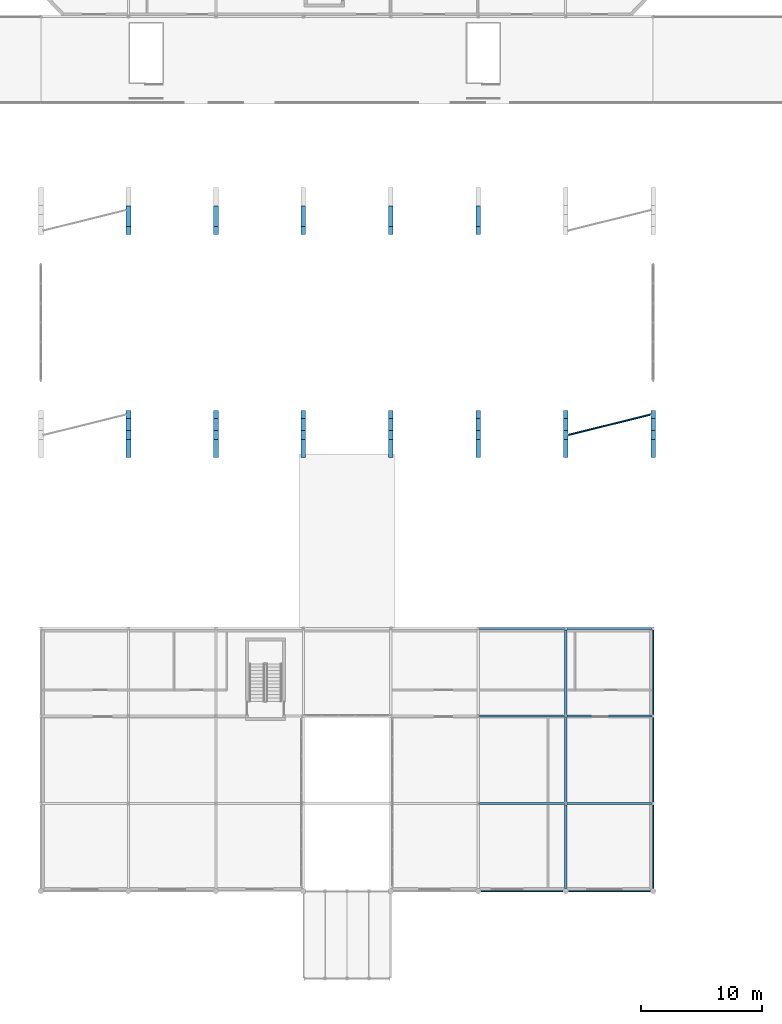
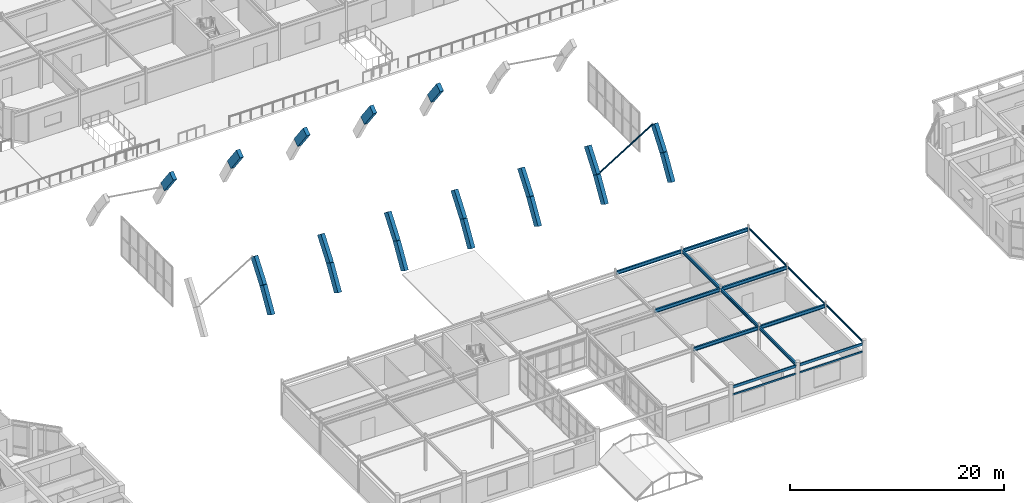
# One storey, part 24 of 85: 35 beams, 1 member.
"""IFC4 building model written with IfcOpenShell, lengths in metres."""

from ifc_helpers import new_model, si_unit, direction, frame, origin, origin_2d, place, context, subcontext, project, spatial, rectangle, hollow_circle, i_section, u_section, extrude, material, material_profile, profile_set, type_object, element, save


model = new_model("IFC4")

# Units and contexts
model_context = context("Model", 3, precision=1e-05, world=origin(), true_north=direction((0.0, 1.0)))
body_context = subcontext(model_context, "Body", "Model", "MODEL_VIEW")
ifc_project = project(units=[si_unit("LENGTHUNIT", "METRE"), si_unit("AREAUNIT", "SQUARE_METRE"), si_unit("VOLUMEUNIT", "CUBIC_METRE"), si_unit("PLANEANGLEUNIT", "RADIAN"), si_unit("MASSUNIT", "GRAM", prefix="KILO")], contexts=[model_context])

# Site, building, storey
site_placement = place(None, origin())
site = spatial("IfcSite", under=ifc_project, at=site_placement, CompositionType="ELEMENT")
building_placement = place(site_placement, origin())
building = spatial("IfcBuilding", under=site, at=building_placement, Name="Ochrevale Crest", CompositionType="ELEMENT")
storey_placement = place(building_placement, frame((0.0, 0.0, 4.5)))
storey = spatial("IfcBuildingStorey", under=building, at=storey_placement, Name="L01", CompositionType="ELEMENT", Elevation=4.5)

# Beams
ifc_material_1 = material(Name="Precast concrete C50/60", Category="concrete")
ifc_material_profile_1 = material_profile(ifc_material_1, rectangle(XDim=0.39990234375, YDim=0.85009765625, at=origin_2d()), Name="PC 400x850")
ifc_profile_set_1 = profile_set([ifc_material_profile_1], Name="Precast concrete C50/60")
beam_type_1 = type_object("IfcBeamType", Name="BM-AR400x850", PredefinedType="BEAM", material=ifc_profile_set_1)
beam_1_placement = place(storey_placement, frame((64.800048828125, 43.25, 0.280029296875), z_axis=(0.0, 0.513061889278, 0.858351616629), x_axis=(-1.0, 0.0, 0.0)))
element("IfcBeam", 1, at=beam_1_placement, inside=storey, type_object=beam_type_1, Name="Precast vault arch rib AR-02 chord 1", PredefinedType="BEAM", context=body_context, shape_type="SweptSolid", body=[
    extrude(rectangle(XDim=0.39990234375, YDim=0.85009765625, at=origin_2d()), origin(), (0.0, 0.0, 1.0), 2.906005859375),
])
for number, where, z_axis, x_axis, name in (
    (2, (64.800048828125, 44.740966796875, 2.7744140625), (0.0, 0.60146279032, 0.798900814783), (-1.0, 0.0, 0.0), "Precast vault arch rib AR-02 chord 2"),
    (3, (64.800048828125, 61.57373046875, 5.012939453125), (0.0, 0.60146279032, -0.798900814783), (-1.0, 0.0, 0.0), "Precast vault arch rib AR-02 chord 9"),
):
    element("IfcBeam", number, at=place(storey_placement, frame(where, z_axis=z_axis, x_axis=x_axis)), inside=storey, type_object=beam_type_1, Name=name, PredefinedType="BEAM", context=body_context, shape_type="SweptSolid", body=[
        extrude(rectangle(XDim=0.39990234375, YDim=0.85009765625, at=origin_2d()), origin(), (0.0, 0.0, 1.0), 2.802001953125),
    ])
beam_2_placement = place(storey_placement, frame((72.0, 43.25, 0.280029296875), z_axis=(0.0, 0.513061889278, 0.858351616629), x_axis=(-1.0, 0.0, 0.0)))
element("IfcBeam", 4, at=beam_2_placement, inside=storey, type_object=beam_type_1, Name="Precast vault arch rib AR-03 chord 1", PredefinedType="BEAM", context=body_context, shape_type="SweptSolid", body=[
    extrude(rectangle(XDim=0.39990234375, YDim=0.85009765625, at=origin_2d()), origin(), (0.0, 0.0, 1.0), 2.906005859375),
])
for number, where, z_axis, x_axis, name in (
    (5, (72.0, 44.740966796875, 2.7744140625), (0.0, 0.60146279032, 0.798900814783), (-1.0, 0.0, 0.0), "Precast vault arch rib AR-03 chord 2"),
    (6, (72.0, 61.57373046875, 5.012939453125), (0.0, 0.60146279032, -0.798900814783), (-1.0, 0.0, 0.0), "Precast vault arch rib AR-03 chord 9"),
):
    element("IfcBeam", number, at=place(storey_placement, frame(where, z_axis=z_axis, x_axis=x_axis)), inside=storey, type_object=beam_type_1, Name=name, PredefinedType="BEAM", context=body_context, shape_type="SweptSolid", body=[
        extrude(rectangle(XDim=0.39990234375, YDim=0.85009765625, at=origin_2d()), origin(), (0.0, 0.0, 1.0), 2.802001953125),
    ])
beam_3_placement = place(storey_placement, frame((79.199951171875, 43.25, 0.280029296875), z_axis=(0.0, 0.513061889278, 0.858351616629), x_axis=(-1.0, 0.0, 0.0)))
element("IfcBeam", 7, at=beam_3_placement, inside=storey, type_object=beam_type_1, Name="Precast vault arch rib AR-04 chord 1", PredefinedType="BEAM", context=body_context, shape_type="SweptSolid", body=[
    extrude(rectangle(XDim=0.39990234375, YDim=0.85009765625, at=origin_2d()), origin(), (0.0, 0.0, 1.0), 2.906005859375),
])
for number, where, z_axis, x_axis, name in (
    (8, (79.199951171875, 44.740966796875, 2.7744140625), (0.0, 0.60146279032, 0.798900814783), (-1.0, 0.0, 0.0), "Precast vault arch rib AR-04 chord 2"),
    (9, (79.199951171875, 61.57373046875, 5.012939453125), (0.0, 0.60146279032, -0.798900814783), (-1.0, 0.0, 0.0), "Precast vault arch rib AR-04 chord 9"),
):
    element("IfcBeam", number, at=place(storey_placement, frame(where, z_axis=z_axis, x_axis=x_axis)), inside=storey, type_object=beam_type_1, Name=name, PredefinedType="BEAM", context=body_context, shape_type="SweptSolid", body=[
        extrude(rectangle(XDim=0.39990234375, YDim=0.85009765625, at=origin_2d()), origin(), (0.0, 0.0, 1.0), 2.802001953125),
    ])
beam_4_placement = place(storey_placement, frame((86.39990234375, 43.25, 0.280029296875), z_axis=(0.0, 0.513061889278, 0.858351616629), x_axis=(-1.0, 0.0, 0.0)))
element("IfcBeam", 10, at=beam_4_placement, inside=storey, type_object=beam_type_1, Name="Precast vault arch rib AR-05 chord 1", PredefinedType="BEAM", context=body_context, shape_type="SweptSolid", body=[
    extrude(rectangle(XDim=0.39990234375, YDim=0.85009765625, at=origin_2d()), origin(), (0.0, 0.0, 1.0), 2.906005859375),
])
for number, where, z_axis, x_axis, name in (
    (11, (86.39990234375, 44.740966796875, 2.7744140625), (0.0, 0.60146279032, 0.798900814783), (-1.0, 0.0, 0.0), "Precast vault arch rib AR-05 chord 2"),
    (12, (86.39990234375, 61.57373046875, 5.012939453125), (0.0, 0.60146279032, -0.798900814783), (-1.0, 0.0, 0.0), "Precast vault arch rib AR-05 chord 9"),
):
    element("IfcBeam", number, at=place(storey_placement, frame(where, z_axis=z_axis, x_axis=x_axis)), inside=storey, type_object=beam_type_1, Name=name, PredefinedType="BEAM", context=body_context, shape_type="SweptSolid", body=[
        extrude(rectangle(XDim=0.39990234375, YDim=0.85009765625, at=origin_2d()), origin(), (0.0, 0.0, 1.0), 2.802001953125),
    ])
beam_5_placement = place(storey_placement, frame((93.60009765625, 43.25, 0.280029296875), z_axis=(0.0, 0.513061889278, 0.858351616629), x_axis=(-1.0, 0.0, 0.0)))
element("IfcBeam", 13, at=beam_5_placement, inside=storey, type_object=beam_type_1, Name="Precast vault arch rib AR-06 chord 1", PredefinedType="BEAM", context=body_context, shape_type="SweptSolid", body=[
    extrude(rectangle(XDim=0.39990234375, YDim=0.85009765625, at=origin_2d()), origin(), (0.0, 0.0, 1.0), 2.906005859375),
])
for number, where, z_axis, x_axis, name in (
    (14, (93.60009765625, 44.740966796875, 2.7744140625), (0.0, 0.60146279032, 0.798900814783), (-1.0, 0.0, 0.0), "Precast vault arch rib AR-06 chord 2"),
    (15, (93.60009765625, 61.57373046875, 5.012939453125), (0.0, 0.60146279032, -0.798900814783), (-1.0, 0.0, 0.0), "Precast vault arch rib AR-06 chord 9"),
):
    element("IfcBeam", number, at=place(storey_placement, frame(where, z_axis=z_axis, x_axis=x_axis)), inside=storey, type_object=beam_type_1, Name=name, PredefinedType="BEAM", context=body_context, shape_type="SweptSolid", body=[
        extrude(rectangle(XDim=0.39990234375, YDim=0.85009765625, at=origin_2d()), origin(), (0.0, 0.0, 1.0), 2.802001953125),
    ])
beam_6_placement = place(storey_placement, frame((100.800048828125, 43.25, 0.280029296875), z_axis=(0.0, 0.513061889278, 0.858351616629), x_axis=(-1.0, 0.0, 0.0)))
element("IfcBeam", 16, at=beam_6_placement, inside=storey, type_object=beam_type_1, Name="Precast vault arch rib AR-07 chord 1", PredefinedType="BEAM", context=body_context, shape_type="SweptSolid", body=[
    extrude(rectangle(XDim=0.39990234375, YDim=0.85009765625, at=origin_2d()), origin(), (0.0, 0.0, 1.0), 2.906005859375),
])
beam_7_placement = place(storey_placement, frame((100.800048828125, 44.740966796875, 2.7744140625), z_axis=(0.0, 0.60146279032, 0.798900814783), x_axis=(-1.0, 0.0, 0.0)))
element("IfcBeam", 17, at=beam_7_placement, inside=storey, type_object=beam_type_1, Name="Precast vault arch rib AR-07 chord 2", PredefinedType="BEAM", context=body_context, shape_type="SweptSolid", body=[
    extrude(rectangle(XDim=0.39990234375, YDim=0.85009765625, at=origin_2d()), origin(), (0.0, 0.0, 1.0), 2.802001953125),
])
beam_8_placement = place(storey_placement, frame((108.0, 43.25, 0.280029296875), z_axis=(0.0, 0.513061889278, 0.858351616629), x_axis=(-1.0, 0.0, 0.0)))
element("IfcBeam", 18, at=beam_8_placement, inside=storey, type_object=beam_type_1, Name="Precast vault arch rib AR-08 chord 1", PredefinedType="BEAM", context=body_context, shape_type="SweptSolid", body=[
    extrude(rectangle(XDim=0.39990234375, YDim=0.85009765625, at=origin_2d()), origin(), (0.0, 0.0, 1.0), 2.906005859375),
])
beam_9_placement = place(storey_placement, frame((108.0, 44.740966796875, 2.7744140625), z_axis=(0.0, 0.60146279032, 0.798900814783), x_axis=(-1.0, 0.0, 0.0)))
element("IfcBeam", 19, at=beam_9_placement, inside=storey, type_object=beam_type_1, Name="Precast vault arch rib AR-08 chord 2", PredefinedType="BEAM", context=body_context, shape_type="SweptSolid", body=[
    extrude(rectangle(XDim=0.39990234375, YDim=0.85009765625, at=origin_2d()), origin(), (0.0, 0.0, 1.0), 2.802001953125),
])
ifc_material_2 = material(Name="Steel S355", Category="steel")
ifc_material_profile_2 = material_profile(ifc_material_2, u_section(Depth=0.179931640625, FlangeWidth=0.074951171875, WebThickness=0.006103515625, FlangeThickness=0.010986328125, FilletRadius=0.011962890625, at=origin_2d()), Name="180PFC")
ifc_profile_set_2 = profile_set([ifc_material_profile_2], Name="Steel S355")
beam_type_2 = type_object("IfcBeamType", Name="BM-PFC180", PredefinedType="LINTEL", material=ifc_profile_set_2)
beam_10_placement = place(storey_placement, frame((93.75, 7.199951171875, 2.85009765625), z_axis=(1.0, 0.0, 0.0), x_axis=(0.0, 1.0, 0.0)))
element("IfcBeam", 20, at=beam_10_placement, inside=storey, type_object=beam_type_2, Name="Retail shopfront steel lintel L01-4", PredefinedType="LINTEL", context=body_context, shape_type="SweptSolid", body=[
    extrude(u_section(Depth=0.179931640625, FlangeWidth=0.074951171875, WebThickness=0.006103515625, FlangeThickness=0.010986328125, FilletRadius=0.011962890625, at=origin_2d()), origin(), (0.0, 0.0, 1.0), 6.89990234375),
])
beam_11_placement = place(storey_placement, frame((100.949951171875, 7.199951171875, 2.85009765625), z_axis=(1.0, 0.0, 0.0), x_axis=(0.0, 1.0, 0.0)))
element("IfcBeam", 21, at=beam_11_placement, inside=storey, type_object=beam_type_2, Name="Retail shopfront steel lintel L01-5", PredefinedType="LINTEL", context=body_context, shape_type="SweptSolid", body=[
    extrude(u_section(Depth=0.179931640625, FlangeWidth=0.074951171875, WebThickness=0.006103515625, FlangeThickness=0.010986328125, FilletRadius=0.011962890625, at=origin_2d()), origin(), (0.0, 0.0, 1.0), 6.900146484375),
])
ifc_material_profile_3 = material_profile(ifc_material_2, u_section(Depth=0.22998046875, FlangeWidth=0.074951171875, WebThickness=0.006591796875, FlangeThickness=0.011962890625, FilletRadius=0.011962890625, at=origin_2d()), Name="230PFC")
ifc_profile_set_3 = profile_set([ifc_material_profile_3], Name="Steel S355")
beam_type_3 = type_object("IfcBeamType", Name="BM-PFC230", PredefinedType="SPANDREL", material=ifc_profile_set_3)
beam_12_placement = place(storey_placement, frame((108.0, 7.419921875, 3.760009765625), z_axis=(0.0, 1.0, 0.0), x_axis=(-1.0, 0.0, 0.0)))
element("IfcBeam", 22, at=beam_12_placement, inside=storey, type_object=beam_type_3, Name="Retail arcade L01 N-S beam X=108.0", PredefinedType="SPANDREL", context=body_context, shape_type="SweptSolid", body=[
    extrude(u_section(Depth=0.22998046875, FlangeWidth=0.074951171875, WebThickness=0.006591796875, FlangeThickness=0.011962890625, FilletRadius=0.011962890625, at=origin_2d()), origin(), (0.0, 0.0, 1.0), 6.882080078125),
])
for number, where, z_axis, x_axis, name in (
    (23, (108.0, 14.498046875, 3.760009765625), (0.0, 1.0, 0.0), (-1.0, 0.0, 0.0), "Retail arcade L01 N-S beam X=108.0"),
    (24, (108.0, 21.697998046875, 3.760009765625), (0.0, 1.0, 0.0), (-1.0, 0.0, 0.0), "Retail arcade L01 N-S beam X=108.0"),
):
    element("IfcBeam", number, at=place(storey_placement, frame(where, z_axis=z_axis, x_axis=x_axis)), inside=storey, type_object=beam_type_3, Name=name, PredefinedType="SPANDREL", context=body_context, shape_type="SweptSolid", body=[
        extrude(u_section(Depth=0.22998046875, FlangeWidth=0.074951171875, WebThickness=0.006591796875, FlangeThickness=0.011962890625, FilletRadius=0.011962890625, at=origin_2d()), origin(), (0.0, 0.0, 1.0), 7.00390625),
    ])
ifc_material_profile_4 = material_profile(ifc_material_2, u_section(Depth=0.300048828125, FlangeWidth=0.090087890625, WebThickness=0.008056640625, FlangeThickness=0.01611328125, FilletRadius=0.013916015625, at=origin_2d()), Name="300PFC")
ifc_profile_set_4 = profile_set([ifc_material_profile_4], Name="Steel S355")
beam_type_4 = type_object("IfcBeamType", Name="BM-PFC300", PredefinedType="BEAM", material=ifc_profile_set_4)
for number, where, z_axis, x_axis, name in (
    (25, (93.820068359375, 7.199951171875, 3.72509765625), (1.0, 0.0, 0.0), (0.0, 1.0, 0.0), "Retail arcade L01 E-W beam Y=7.2"),
    (26, (101.02001953125, 7.199951171875, 3.72509765625), (1.0, 0.0, 0.0), (0.0, 1.0, 0.0), "Retail arcade L01 E-W beam Y=7.2"),
):
    element("IfcBeam", number, at=place(storey_placement, frame(where, z_axis=z_axis, x_axis=x_axis)), inside=storey, type_object=beam_type_4, Name=name, PredefinedType="BEAM", context=body_context, shape_type="SweptSolid", body=[
        extrude(u_section(Depth=0.300048828125, FlangeWidth=0.090087890625, WebThickness=0.008056640625, FlangeThickness=0.01611328125, FilletRadius=0.013916015625, at=origin_2d()), origin(), (0.0, 0.0, 1.0), 6.760009765625),
    ])
ifc_material_profile_5 = material_profile(ifc_material_2, i_section(OverallWidth=0.172119140625, OverallDepth=0.358642578125, WebThickness=0.008056640625, FlangeThickness=0.012939453125, FilletRadius=0.011474609375, at=origin_2d()), Name="360UB56.7")
ifc_profile_set_5 = profile_set([ifc_material_profile_5], Name="Steel S355")
beam_type_5 = type_object("IfcBeamType", Name="BM-UB360B", PredefinedType="BEAM", material=ifc_profile_set_5)
beam_13_placement = place(storey_placement, frame((100.800048828125, 7.419921875, 3.69580078125), z_axis=(0.0, 1.0, 0.0), x_axis=(-1.0, 0.0, 0.0)))
element("IfcBeam", 27, at=beam_13_placement, inside=storey, type_object=beam_type_5, Name="Retail arcade L01 N-S beam X=100.8", PredefinedType="BEAM", context=body_context, shape_type="SweptSolid", body=[
    extrude(i_section(OverallWidth=0.172119140625, OverallDepth=0.358642578125, WebThickness=0.008056640625, FlangeThickness=0.012939453125, FilletRadius=0.011474609375, at=origin_2d()), origin(), (0.0, 0.0, 1.0), 6.882080078125),
])
for number, where, z_axis, x_axis, name in (
    (28, (100.800048828125, 14.498046875, 3.69580078125), (0.0, 1.0, 0.0), (-1.0, 0.0, 0.0), "Retail arcade L01 N-S beam X=100.8"),
    (29, (100.800048828125, 21.697998046875, 3.69580078125), (0.0, 1.0, 0.0), (-1.0, 0.0, 0.0), "Retail arcade L01 N-S beam X=100.8"),
):
    element("IfcBeam", number, at=place(storey_placement, frame(where, z_axis=z_axis, x_axis=x_axis)), inside=storey, type_object=beam_type_5, Name=name, PredefinedType="BEAM", context=body_context, shape_type="SweptSolid", body=[
        extrude(i_section(OverallWidth=0.172119140625, OverallDepth=0.358642578125, WebThickness=0.008056640625, FlangeThickness=0.012939453125, FilletRadius=0.011474609375, at=origin_2d()), origin(), (0.0, 0.0, 1.0), 7.00390625),
    ])
ifc_material_profile_6 = material_profile(ifc_material_2, i_section(OverallWidth=0.177734375, OverallDepth=0.402587890625, WebThickness=0.007568359375, FlangeThickness=0.010986328125, FilletRadius=0.011474609375, at=origin_2d()), Name="410UB53.7")
ifc_profile_set_6 = profile_set([ifc_material_profile_6], Name="Steel S355")
beam_type_6 = type_object("IfcBeamType", Name="BM-UB410A", PredefinedType="BEAM", material=ifc_profile_set_6)
beam_14_placement = place(storey_placement, frame((93.697998046875, 14.39990234375, 3.673583984375), z_axis=(1.0, 0.0, 0.0), x_axis=(0.0, 1.0, 0.0)))
element("IfcBeam", 30, at=beam_14_placement, inside=storey, type_object=beam_type_6, Name="Retail arcade L01 E-W beam Y=14.4", PredefinedType="BEAM", context=body_context, shape_type="SweptSolid", body=[
    extrude(i_section(OverallWidth=0.177734375, OverallDepth=0.402587890625, WebThickness=0.007568359375, FlangeThickness=0.010986328125, FilletRadius=0.011474609375, at=origin_2d()), origin(), (0.0, 0.0, 1.0), 7.00390625),
])
beam_15_placement = place(storey_placement, frame((100.89794921875, 14.39990234375, 3.673583984375), z_axis=(1.0, 0.0, 0.0), x_axis=(0.0, 1.0, 0.0)))
element("IfcBeam", 31, at=beam_15_placement, inside=storey, type_object=beam_type_6, Name="Retail arcade L01 E-W beam Y=14.4", PredefinedType="BEAM", context=body_context, shape_type="SweptSolid", body=[
    extrude(i_section(OverallWidth=0.177734375, OverallDepth=0.402587890625, WebThickness=0.007568359375, FlangeThickness=0.010986328125, FilletRadius=0.011474609375, at=origin_2d()), origin(), (0.0, 0.0, 1.0), 7.004150390625),
])
beam_16_placement = place(storey_placement, frame((93.697998046875, 21.60009765625, 3.673583984375), z_axis=(1.0, 0.0, 0.0), x_axis=(0.0, 1.0, 0.0)))
element("IfcBeam", 32, at=beam_16_placement, inside=storey, type_object=beam_type_6, Name="Retail arcade L01 E-W beam Y=21.6", PredefinedType="BEAM", context=body_context, shape_type="SweptSolid", body=[
    extrude(i_section(OverallWidth=0.177734375, OverallDepth=0.402587890625, WebThickness=0.007568359375, FlangeThickness=0.010986328125, FilletRadius=0.011474609375, at=origin_2d()), origin(), (0.0, 0.0, 1.0), 7.00390625),
])
beam_17_placement = place(storey_placement, frame((100.89794921875, 21.60009765625, 3.673583984375), z_axis=(1.0, 0.0, 0.0), x_axis=(0.0, 1.0, 0.0)))
element("IfcBeam", 33, at=beam_17_placement, inside=storey, type_object=beam_type_6, Name="Retail arcade L01 E-W beam Y=21.6", PredefinedType="BEAM", context=body_context, shape_type="SweptSolid", body=[
    extrude(i_section(OverallWidth=0.177734375, OverallDepth=0.402587890625, WebThickness=0.007568359375, FlangeThickness=0.010986328125, FilletRadius=0.011474609375, at=origin_2d()), origin(), (0.0, 0.0, 1.0), 7.004150390625),
])
beam_18_placement = place(storey_placement, frame((93.697998046875, 28.800048828125, 3.673583984375), z_axis=(1.0, 0.0, 0.0), x_axis=(0.0, 1.0, 0.0)))
element("IfcBeam", 34, at=beam_18_placement, inside=storey, type_object=beam_type_6, Name="Retail arcade L01 E-W beam Y=28.8", PredefinedType="BEAM", context=body_context, shape_type="SweptSolid", body=[
    extrude(i_section(OverallWidth=0.177734375, OverallDepth=0.402587890625, WebThickness=0.007568359375, FlangeThickness=0.010986328125, FilletRadius=0.011474609375, at=origin_2d()), origin(), (0.0, 0.0, 1.0), 7.00390625),
])
beam_19_placement = place(storey_placement, frame((100.89794921875, 28.800048828125, 3.673583984375), z_axis=(1.0, 0.0, 0.0), x_axis=(0.0, 1.0, 0.0)))
element("IfcBeam", 35, at=beam_19_placement, inside=storey, type_object=beam_type_6, Name="Retail arcade L01 E-W beam Y=28.8", PredefinedType="BEAM", context=body_context, shape_type="SweptSolid", body=[
    extrude(i_section(OverallWidth=0.177734375, OverallDepth=0.402587890625, WebThickness=0.007568359375, FlangeThickness=0.010986328125, FilletRadius=0.011474609375, at=origin_2d()), origin(), (0.0, 0.0, 1.0), 7.004150390625),
])

# Member
ifc_material_profile_7 = material_profile(ifc_material_2, hollow_circle(Radius=0.084228515625, WallThickness=0.00634765625, at=origin_2d()), Name="168.3x6.4CHS")
ifc_profile_set_7 = profile_set([ifc_material_profile_7], Name="Steel S355")
member_type = type_object("IfcMemberType", Name="MEM-CHS168-BR", PredefinedType="BRACE", material=ifc_profile_set_7)
member_placement = place(storey_placement, frame((101.0, 44.740966796875, 2.7744140625), z_axis=(0.924582973911, 0.229145739019, 0.30436582371), x_axis=(-0.24055900848, 0.970634515891, 0.0)))
element("IfcMember", 36, at=member_placement, inside=storey, type_object=member_type, Name="Community Hall vault CHS lateral brace B7-1", PredefinedType="BRACE", context=body_context, shape_type="SweptSolid", body=[
    extrude(hollow_circle(Radius=0.084228515625, WallThickness=0.00634765625, at=origin_2d()), origin(), (0.0, 0.0, 1.0), 7.354736328125),
])

save(model, "model.ifc")
